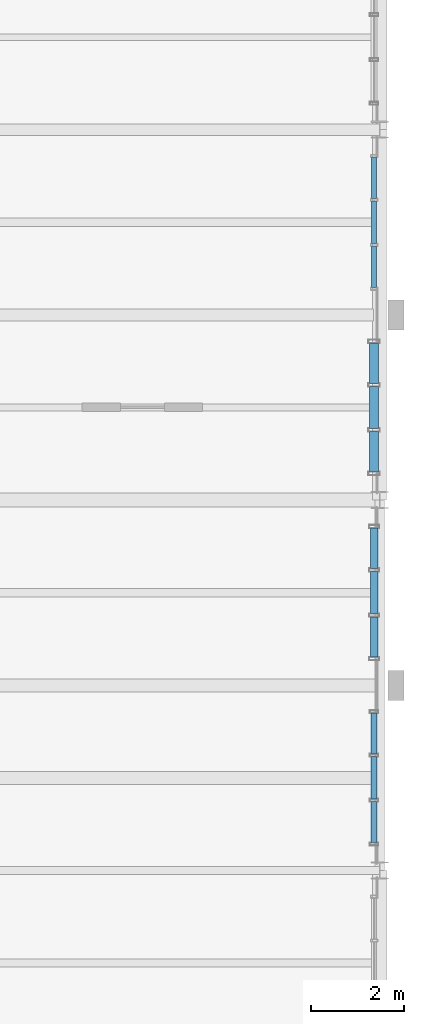
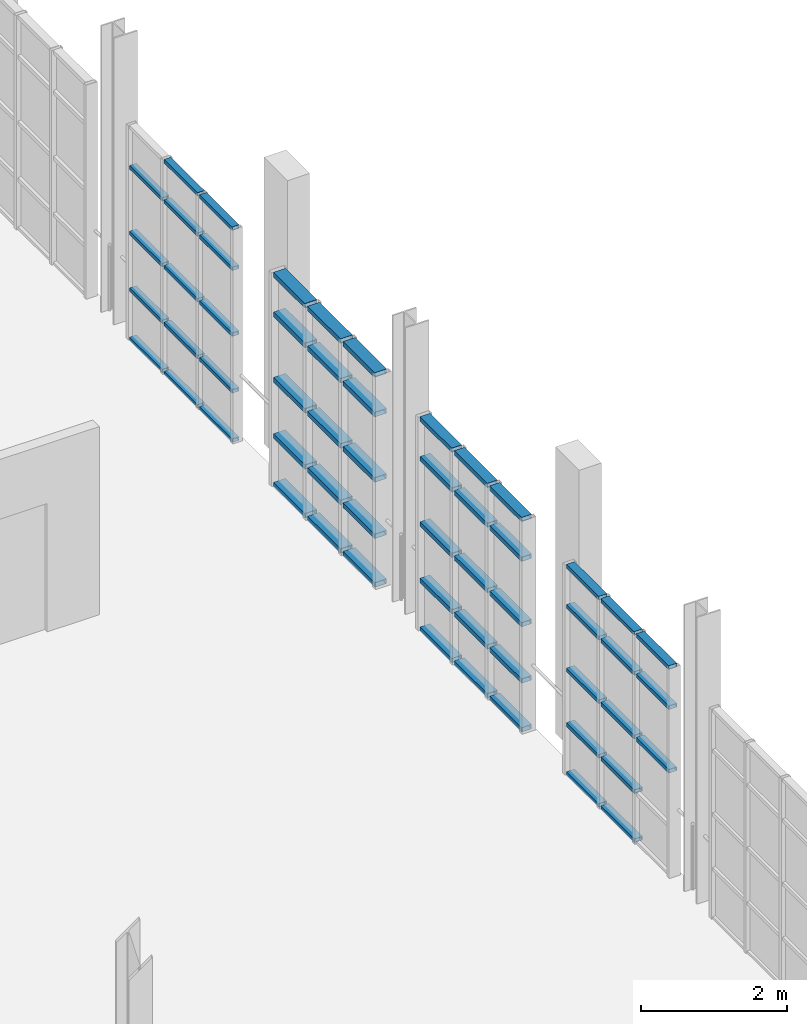
# One storey, part 75 of 122: 57 members, 4 elements without a shape of their own.
"""IFC4 building model written with IfcOpenShell, lengths in metres."""

from ifc_helpers import new_model, si_unit, direction, frame, origin, origin_2d, place, context, subcontext, project, spatial, hollow_rectangle, extrude, material, layer, layer_set, material_profile, profile_set, type_object, element, aggregate, save


model = new_model("IFC4")

# Units and contexts
model_context = context("Model", 3, precision=1e-05, world=origin(), true_north=direction((0.0, 1.0)))
body_context = subcontext(model_context, "Body", "Model", "MODEL_VIEW")
ifc_project = project(units=[si_unit("LENGTHUNIT", "METRE"), si_unit("AREAUNIT", "SQUARE_METRE"), si_unit("VOLUMEUNIT", "CUBIC_METRE"), si_unit("PLANEANGLEUNIT", "RADIAN"), si_unit("MASSUNIT", "GRAM", prefix="KILO"), si_unit("THERMODYNAMICTEMPERATUREUNIT", "KELVIN"), si_unit("POWERUNIT", "WATT")], contexts=[model_context])

# Site, building, storey
site_placement = place(None, origin())
site = spatial("IfcSite", under=ifc_project, at=site_placement, CompositionType="ELEMENT")
building_placement = place(site_placement, origin())
building = spatial("IfcBuilding", under=site, at=building_placement, Name="Zelmaris Science Centre", CompositionType="ELEMENT")
storey_placement = place(building_placement, frame((0.0, 0.0, 10.800048828125)))
storey = spatial("IfcBuildingStorey", under=building, at=storey_placement, Name="L02", CompositionType="ELEMENT", Elevation=10.800048828125)

# Curtain wall, members
ifc_material = material(Name="Anodised architectural aluminium 6063-T6", Category="aluminium")
ifc_layer_1 = layer(ifc_material, 0.219970703125, Name="Anodised architectural aluminium 6063-T6")
ifc_layer_set_1 = layer_set([ifc_layer_1], Name="Anodised architectural aluminium 6063-T6")
curtain_wall_type_1 = type_object("IfcCurtainWallType", Name="Curtain Wall CW-04", PredefinedType="USERDEFINED", material=ifc_layer_set_1)
curtain_wall_1_placement = place(storey_placement, origin())
curtain_wall_1 = element("IfcCurtainWall", 1, at=curtain_wall_1_placement, inside=storey, type_object=curtain_wall_type_1, Name="L02 Unitised curtain wall 228", ObjectType="GLAZED CURTAIN WALL", PredefinedType="USERDEFINED")
ifc_material_profile_1 = material_profile(ifc_material, hollow_rectangle(XDim=0.06005859375, YDim=0.110107421875, WallThickness=0.0029296875, at=origin_2d()), Name="ALU-TRN-60X110")
ifc_profile_set_1 = profile_set([ifc_material_profile_1], Name="Anodised architectural aluminium 6063-T6")
member_type_1 = type_object("IfcMemberType", Name="ALU-TRN-60X110", PredefinedType="USERDEFINED", material=ifc_profile_set_1)
member_1_placement = place(storey_placement, frame((143.8798828125, 39.407958984375, 0.010986328125), z_axis=(0.0, -1.0, 0.0), x_axis=(0.0, 0.0, 1.0)))
member_1 = element("IfcMember", 2, at=member_1_placement, type_object=member_type_1, Name="CW-04 transom 1.1", ObjectType="TRANSOM", PredefinedType="USERDEFINED", context=body_context, shape_type="SweptSolid", body=[
    extrude(hollow_rectangle(XDim=0.06005859375, YDim=0.110107421875, WallThickness=0.0029296875, at=origin_2d()), origin(), (0.0, 0.0, 1.0), 0.895263671875),
])
member_2_placement = place(storey_placement, frame((143.8798828125, 39.407958984375, 0.8349609375), z_axis=(0.0, -1.0, 0.0), x_axis=(0.0, 0.0, 1.0)))
member_2 = element("IfcMember", 3, at=member_2_placement, type_object=member_type_1, Name="CW-04 transom 1.2", ObjectType="TRANSOM", PredefinedType="USERDEFINED", context=body_context, shape_type="SweptSolid", body=[
    extrude(hollow_rectangle(XDim=0.06005859375, YDim=0.110107421875, WallThickness=0.0029296875, at=origin_2d()), origin(), (0.0, 0.0, 1.0), 0.895263671875),
])
member_3_placement = place(storey_placement, frame((143.8798828125, 39.407958984375, 1.785400390625), z_axis=(0.0, -1.0, 0.0), x_axis=(0.0, 0.0, 1.0)))
member_3 = element("IfcMember", 4, at=member_3_placement, type_object=member_type_1, Name="CW-04 transom 1.3", ObjectType="TRANSOM", PredefinedType="USERDEFINED", context=body_context, shape_type="SweptSolid", body=[
    extrude(hollow_rectangle(XDim=0.06005859375, YDim=0.110107421875, WallThickness=0.0029296875, at=origin_2d()), origin(), (0.0, 0.0, 1.0), 0.895263671875),
])
member_4_placement = place(storey_placement, frame((143.8798828125, 39.407958984375, 2.885986328125), z_axis=(0.0, -1.0, 0.0), x_axis=(0.0, 0.0, 1.0)))
member_4 = element("IfcMember", 5, at=member_4_placement, type_object=member_type_1, Name="CW-04 transom 1.4", ObjectType="TRANSOM", PredefinedType="USERDEFINED", context=body_context, shape_type="SweptSolid", body=[
    extrude(hollow_rectangle(XDim=0.06005859375, YDim=0.110107421875, WallThickness=0.0029296875, at=origin_2d()), origin(), (0.0, 0.0, 1.0), 0.895263671875),
])
member_5_placement = place(storey_placement, frame((143.8798828125, 38.460693359375, 0.010986328125), z_axis=(0.0, -1.0, 0.0), x_axis=(0.0, 0.0, 1.0)))
member_5 = element("IfcMember", 6, at=member_5_placement, type_object=member_type_1, Name="CW-04 transom 2.1", ObjectType="TRANSOM", PredefinedType="USERDEFINED", context=body_context, shape_type="SweptSolid", body=[
    extrude(hollow_rectangle(XDim=0.06005859375, YDim=0.110107421875, WallThickness=0.0029296875, at=origin_2d()), origin(), (0.0, 0.0, 1.0), 0.92138671875),
])
member_6_placement = place(storey_placement, frame((143.8798828125, 38.460693359375, 0.8349609375), z_axis=(0.0, -1.0, 0.0), x_axis=(0.0, 0.0, 1.0)))
member_6 = element("IfcMember", 7, at=member_6_placement, type_object=member_type_1, Name="CW-04 transom 2.2", ObjectType="TRANSOM", PredefinedType="USERDEFINED", context=body_context, shape_type="SweptSolid", body=[
    extrude(hollow_rectangle(XDim=0.06005859375, YDim=0.110107421875, WallThickness=0.0029296875, at=origin_2d()), origin(), (0.0, 0.0, 1.0), 0.92138671875),
])
member_7_placement = place(storey_placement, frame((143.8798828125, 38.460693359375, 1.785400390625), z_axis=(0.0, -1.0, 0.0), x_axis=(0.0, 0.0, 1.0)))
member_7 = element("IfcMember", 8, at=member_7_placement, type_object=member_type_1, Name="CW-04 transom 2.3", ObjectType="TRANSOM", PredefinedType="USERDEFINED", context=body_context, shape_type="SweptSolid", body=[
    extrude(hollow_rectangle(XDim=0.06005859375, YDim=0.110107421875, WallThickness=0.0029296875, at=origin_2d()), origin(), (0.0, 0.0, 1.0), 0.92138671875),
])
member_8_placement = place(storey_placement, frame((143.8798828125, 38.460693359375, 2.885986328125), z_axis=(0.0, -1.0, 0.0), x_axis=(0.0, 0.0, 1.0)))
member_8 = element("IfcMember", 9, at=member_8_placement, type_object=member_type_1, Name="CW-04 transom 2.4", ObjectType="TRANSOM", PredefinedType="USERDEFINED", context=body_context, shape_type="SweptSolid", body=[
    extrude(hollow_rectangle(XDim=0.06005859375, YDim=0.110107421875, WallThickness=0.0029296875, at=origin_2d()), origin(), (0.0, 0.0, 1.0), 0.92138671875),
])
member_9_placement = place(storey_placement, frame((143.8798828125, 38.460693359375, 3.56005859375), z_axis=(0.0, -1.0, 0.0), x_axis=(0.0, 0.0, 1.0)))
member_9 = element("IfcMember", 10, at=member_9_placement, type_object=member_type_1, Name="CW-04 transom 2.5", ObjectType="TRANSOM", PredefinedType="USERDEFINED", context=body_context, shape_type="SweptSolid", body=[
    extrude(hollow_rectangle(XDim=0.06005859375, YDim=0.110107421875, WallThickness=0.0029296875, at=origin_2d()), origin(), (0.0, 0.0, 1.0), 0.92138671875),
])
member_10_placement = place(storey_placement, frame((143.8798828125, 37.4873046875, 0.010986328125), z_axis=(0.0, -1.0, 0.0), x_axis=(0.0, 0.0, 1.0)))
member_10 = element("IfcMember", 11, at=member_10_placement, type_object=member_type_1, Name="CW-04 transom 3.1", ObjectType="TRANSOM", PredefinedType="USERDEFINED", context=body_context, shape_type="SweptSolid", body=[
    extrude(hollow_rectangle(XDim=0.06005859375, YDim=0.110107421875, WallThickness=0.0029296875, at=origin_2d()), origin(), (0.0, 0.0, 1.0), 0.895263671875),
])
member_11_placement = place(storey_placement, frame((143.8798828125, 37.4873046875, 0.8349609375), z_axis=(0.0, -1.0, 0.0), x_axis=(0.0, 0.0, 1.0)))
member_11 = element("IfcMember", 12, at=member_11_placement, type_object=member_type_1, Name="CW-04 transom 3.2", ObjectType="TRANSOM", PredefinedType="USERDEFINED", context=body_context, shape_type="SweptSolid", body=[
    extrude(hollow_rectangle(XDim=0.06005859375, YDim=0.110107421875, WallThickness=0.0029296875, at=origin_2d()), origin(), (0.0, 0.0, 1.0), 0.895263671875),
])
member_12_placement = place(storey_placement, frame((143.8798828125, 37.4873046875, 1.785400390625), z_axis=(0.0, -1.0, 0.0), x_axis=(0.0, 0.0, 1.0)))
member_12 = element("IfcMember", 13, at=member_12_placement, type_object=member_type_1, Name="CW-04 transom 3.3", ObjectType="TRANSOM", PredefinedType="USERDEFINED", context=body_context, shape_type="SweptSolid", body=[
    extrude(hollow_rectangle(XDim=0.06005859375, YDim=0.110107421875, WallThickness=0.0029296875, at=origin_2d()), origin(), (0.0, 0.0, 1.0), 0.895263671875),
])
member_13_placement = place(storey_placement, frame((143.8798828125, 37.4873046875, 2.885986328125), z_axis=(0.0, -1.0, 0.0), x_axis=(0.0, 0.0, 1.0)))
member_13 = element("IfcMember", 14, at=member_13_placement, type_object=member_type_1, Name="CW-04 transom 3.4", ObjectType="TRANSOM", PredefinedType="USERDEFINED", context=body_context, shape_type="SweptSolid", body=[
    extrude(hollow_rectangle(XDim=0.06005859375, YDim=0.110107421875, WallThickness=0.0029296875, at=origin_2d()), origin(), (0.0, 0.0, 1.0), 0.895263671875),
])
member_14_placement = place(storey_placement, frame((143.8798828125, 37.4873046875, 3.56005859375), z_axis=(0.0, -1.0, 0.0), x_axis=(0.0, 0.0, 1.0)))
member_14 = element("IfcMember", 15, at=member_14_placement, type_object=member_type_1, Name="CW-04 transom 3.5", ObjectType="TRANSOM", PredefinedType="USERDEFINED", context=body_context, shape_type="SweptSolid", body=[
    extrude(hollow_rectangle(XDim=0.06005859375, YDim=0.110107421875, WallThickness=0.0029296875, at=origin_2d()), origin(), (0.0, 0.0, 1.0), 0.895263671875),
])
aggregate(curtain_wall_1, [member_1, member_2, member_3, member_4, member_5, member_6, member_7, member_8, member_9, member_10, member_11, member_12, member_13, member_14])

ifc_layer_2 = layer(ifc_material, 0.2099609375, Name="Anodised architectural aluminium 6063-T6")
ifc_layer_set_2 = layer_set([ifc_layer_2], Name="Anodised architectural aluminium 6063-T6")
curtain_wall_type_2 = type_object("IfcCurtainWallType", Name="Curtain Wall CW-03", PredefinedType="USERDEFINED", material=ifc_layer_set_2)
curtain_wall_2_placement = place(storey_placement, origin())
curtain_wall_2 = element("IfcCurtainWall", 16, at=curtain_wall_2_placement, inside=storey, type_object=curtain_wall_type_2, Name="L02 Unitised curtain wall 231", ObjectType="GLAZED CURTAIN WALL", PredefinedType="USERDEFINED")
ifc_material_profile_2 = material_profile(ifc_material, hollow_rectangle(XDim=0.06494140625, YDim=0.1298828125, WallThickness=0.00341796875, at=origin_2d()), Name="ALU-TRN-65X130")
ifc_profile_set_2 = profile_set([ifc_material_profile_2], Name="Anodised architectural aluminium 6063-T6")
member_type_2 = type_object("IfcMemberType", Name="ALU-TRN-65X130", PredefinedType="USERDEFINED", material=ifc_profile_set_2)
member_15_placement = place(storey_placement, frame((143.8798828125, 27.403076171875, 0.013427734375), z_axis=(0.0, -1.0, 0.0), x_axis=(0.0, 0.0, 1.0)))
member_15 = element("IfcMember", 17, at=member_15_placement, type_object=member_type_2, Name="CW-03 transom 1.1", ObjectType="TRANSOM", PredefinedType="USERDEFINED", context=body_context, shape_type="SweptSolid", body=[
    extrude(hollow_rectangle(XDim=0.06494140625, YDim=0.1298828125, WallThickness=0.00341796875, at=origin_2d()), origin(), (0.0, 0.0, 1.0), 0.887939453125),
])
member_16_placement = place(storey_placement, frame((143.8798828125, 27.403076171875, 0.8349609375), z_axis=(0.0, -1.0, 0.0), x_axis=(0.0, 0.0, 1.0)))
member_16 = element("IfcMember", 18, at=member_16_placement, type_object=member_type_2, Name="CW-03 transom 1.2", ObjectType="TRANSOM", PredefinedType="USERDEFINED", context=body_context, shape_type="SweptSolid", body=[
    extrude(hollow_rectangle(XDim=0.06494140625, YDim=0.1298828125, WallThickness=0.00341796875, at=origin_2d()), origin(), (0.0, 0.0, 1.0), 0.887939453125),
])
member_17_placement = place(storey_placement, frame((143.8798828125, 27.403076171875, 1.74951171875), z_axis=(0.0, -1.0, 0.0), x_axis=(0.0, 0.0, 1.0)))
member_17 = element("IfcMember", 19, at=member_17_placement, type_object=member_type_2, Name="CW-03 transom 1.3", ObjectType="TRANSOM", PredefinedType="USERDEFINED", context=body_context, shape_type="SweptSolid", body=[
    extrude(hollow_rectangle(XDim=0.06494140625, YDim=0.1298828125, WallThickness=0.00341796875, at=origin_2d()), origin(), (0.0, 0.0, 1.0), 0.887939453125),
])
member_18_placement = place(storey_placement, frame((143.8798828125, 27.403076171875, 2.81396484375), z_axis=(0.0, -1.0, 0.0), x_axis=(0.0, 0.0, 1.0)))
member_18 = element("IfcMember", 20, at=member_18_placement, type_object=member_type_2, Name="CW-03 transom 1.4", ObjectType="TRANSOM", PredefinedType="USERDEFINED", context=body_context, shape_type="SweptSolid", body=[
    extrude(hollow_rectangle(XDim=0.06494140625, YDim=0.1298828125, WallThickness=0.00341796875, at=origin_2d()), origin(), (0.0, 0.0, 1.0), 0.887939453125),
])
member_19_placement = place(storey_placement, frame((143.8798828125, 27.403076171875, 3.4853515625), z_axis=(0.0, -1.0, 0.0), x_axis=(0.0, 0.0, 1.0)))
member_19 = element("IfcMember", 21, at=member_19_placement, type_object=member_type_2, Name="CW-03 transom 1.5", ObjectType="TRANSOM", PredefinedType="USERDEFINED", context=body_context, shape_type="SweptSolid", body=[
    extrude(hollow_rectangle(XDim=0.06494140625, YDim=0.1298828125, WallThickness=0.00341796875, at=origin_2d()), origin(), (0.0, 0.0, 1.0), 0.887939453125),
])
member_20_placement = place(storey_placement, frame((143.8798828125, 26.458251953125, 0.013427734375), z_axis=(0.0, -1.0, 0.0), x_axis=(0.0, 0.0, 1.0)))
member_20 = element("IfcMember", 22, at=member_20_placement, type_object=member_type_2, Name="CW-03 transom 2.1", ObjectType="TRANSOM", PredefinedType="USERDEFINED", context=body_context, shape_type="SweptSolid", body=[
    extrude(hollow_rectangle(XDim=0.06494140625, YDim=0.1298828125, WallThickness=0.00341796875, at=origin_2d()), origin(), (0.0, 0.0, 1.0), 0.91650390625),
])
member_21_placement = place(storey_placement, frame((143.8798828125, 26.458251953125, 0.8349609375), z_axis=(0.0, -1.0, 0.0), x_axis=(0.0, 0.0, 1.0)))
member_21 = element("IfcMember", 23, at=member_21_placement, type_object=member_type_2, Name="CW-03 transom 2.2", ObjectType="TRANSOM", PredefinedType="USERDEFINED", context=body_context, shape_type="SweptSolid", body=[
    extrude(hollow_rectangle(XDim=0.06494140625, YDim=0.1298828125, WallThickness=0.00341796875, at=origin_2d()), origin(), (0.0, 0.0, 1.0), 0.91650390625),
])
member_22_placement = place(storey_placement, frame((143.8798828125, 26.458251953125, 1.74951171875), z_axis=(0.0, -1.0, 0.0), x_axis=(0.0, 0.0, 1.0)))
member_22 = element("IfcMember", 24, at=member_22_placement, type_object=member_type_2, Name="CW-03 transom 2.3", ObjectType="TRANSOM", PredefinedType="USERDEFINED", context=body_context, shape_type="SweptSolid", body=[
    extrude(hollow_rectangle(XDim=0.06494140625, YDim=0.1298828125, WallThickness=0.00341796875, at=origin_2d()), origin(), (0.0, 0.0, 1.0), 0.91650390625),
])
member_23_placement = place(storey_placement, frame((143.8798828125, 26.458251953125, 2.81396484375), z_axis=(0.0, -1.0, 0.0), x_axis=(0.0, 0.0, 1.0)))
member_23 = element("IfcMember", 25, at=member_23_placement, type_object=member_type_2, Name="CW-03 transom 2.4", ObjectType="TRANSOM", PredefinedType="USERDEFINED", context=body_context, shape_type="SweptSolid", body=[
    extrude(hollow_rectangle(XDim=0.06494140625, YDim=0.1298828125, WallThickness=0.00341796875, at=origin_2d()), origin(), (0.0, 0.0, 1.0), 0.91650390625),
])
member_24_placement = place(storey_placement, frame((143.8798828125, 26.458251953125, 3.4853515625), z_axis=(0.0, -1.0, 0.0), x_axis=(0.0, 0.0, 1.0)))
member_24 = element("IfcMember", 26, at=member_24_placement, type_object=member_type_2, Name="CW-03 transom 2.5", ObjectType="TRANSOM", PredefinedType="USERDEFINED", context=body_context, shape_type="SweptSolid", body=[
    extrude(hollow_rectangle(XDim=0.06494140625, YDim=0.1298828125, WallThickness=0.00341796875, at=origin_2d()), origin(), (0.0, 0.0, 1.0), 0.91650390625),
])
member_25_placement = place(storey_placement, frame((143.8798828125, 25.48486328125, 1.74951171875), z_axis=(0.0, -1.0, 0.0), x_axis=(0.0, 0.0, 1.0)))
member_25 = element("IfcMember", 27, at=member_25_placement, type_object=member_type_2, Name="CW-03 transom 3.3", ObjectType="TRANSOM", PredefinedType="USERDEFINED", context=body_context, shape_type="SweptSolid", body=[
    extrude(hollow_rectangle(XDim=0.06494140625, YDim=0.1298828125, WallThickness=0.00341796875, at=origin_2d()), origin(), (0.0, 0.0, 1.0), 0.887939453125),
])
member_26_placement = place(storey_placement, frame((143.8798828125, 25.48486328125, 2.81396484375), z_axis=(0.0, -1.0, 0.0), x_axis=(0.0, 0.0, 1.0)))
member_26 = element("IfcMember", 28, at=member_26_placement, type_object=member_type_2, Name="CW-03 transom 3.4", ObjectType="TRANSOM", PredefinedType="USERDEFINED", context=body_context, shape_type="SweptSolid", body=[
    extrude(hollow_rectangle(XDim=0.06494140625, YDim=0.1298828125, WallThickness=0.00341796875, at=origin_2d()), origin(), (0.0, 0.0, 1.0), 0.887939453125),
])
member_27_placement = place(storey_placement, frame((143.8798828125, 25.48486328125, 3.4853515625), z_axis=(0.0, -1.0, 0.0), x_axis=(0.0, 0.0, 1.0)))
member_27 = element("IfcMember", 29, at=member_27_placement, type_object=member_type_2, Name="CW-03 transom 3.5", ObjectType="TRANSOM", PredefinedType="USERDEFINED", context=body_context, shape_type="SweptSolid", body=[
    extrude(hollow_rectangle(XDim=0.06494140625, YDim=0.1298828125, WallThickness=0.00341796875, at=origin_2d()), origin(), (0.0, 0.0, 1.0), 0.887939453125),
])
aggregate(curtain_wall_2, [member_15, member_16, member_17, member_18, member_19, member_20, member_21, member_22, member_23, member_24, member_25, member_26, member_27])

ifc_layer_3 = layer(ifc_material, 0.199951171875, Name="Anodised architectural aluminium 6063-T6")
ifc_layer_set_3 = layer_set([ifc_layer_3], Name="Anodised architectural aluminium 6063-T6")
curtain_wall_type_3 = type_object("IfcCurtainWallType", Name="Curtain Wall CW-02", PredefinedType="USERDEFINED", material=ifc_layer_set_3)
curtain_wall_3_placement = place(storey_placement, origin())
curtain_wall_3 = element("IfcCurtainWall", 30, at=curtain_wall_3_placement, inside=storey, type_object=curtain_wall_type_3, Name="L02 Unitised curtain wall 230", ObjectType="GLAZED CURTAIN WALL", PredefinedType="USERDEFINED")
ifc_material_profile_3 = material_profile(ifc_material, hollow_rectangle(XDim=0.074951171875, YDim=0.159912109375, WallThickness=0.00390625, at=origin_2d()), Name="ALU-TRN-75X160")
ifc_profile_set_3 = profile_set([ifc_material_profile_3], Name="Anodised architectural aluminium 6063-T6")
member_type_3 = type_object("IfcMemberType", Name="ALU-TRN-75X160", PredefinedType="USERDEFINED", material=ifc_profile_set_3)
member_28_placement = place(storey_placement, frame((143.8798828125, 31.39306640625, 0.0185546875), z_axis=(0.0, -1.0, 0.0), x_axis=(0.0, 0.0, 1.0)))
member_28 = element("IfcMember", 31, at=member_28_placement, type_object=member_type_3, Name="CW-02 transom 1.1", ObjectType="TRANSOM", PredefinedType="USERDEFINED", context=body_context, shape_type="SweptSolid", body=[
    extrude(hollow_rectangle(XDim=0.074951171875, YDim=0.159912109375, WallThickness=0.00390625, at=origin_2d()), origin(), (0.0, 0.0, 1.0), 0.872802734375),
])
member_29_placement = place(storey_placement, frame((143.8798828125, 31.39306640625, 0.8349609375), z_axis=(0.0, -1.0, 0.0), x_axis=(0.0, 0.0, 1.0)))
member_29 = element("IfcMember", 32, at=member_29_placement, type_object=member_type_3, Name="CW-02 transom 1.2", ObjectType="TRANSOM", PredefinedType="USERDEFINED", context=body_context, shape_type="SweptSolid", body=[
    extrude(hollow_rectangle(XDim=0.074951171875, YDim=0.159912109375, WallThickness=0.00390625, at=origin_2d()), origin(), (0.0, 0.0, 1.0), 0.872802734375),
])
member_30_placement = place(storey_placement, frame((143.8798828125, 31.39306640625, 1.779052734375), z_axis=(0.0, -1.0, 0.0), x_axis=(0.0, 0.0, 1.0)))
member_30 = element("IfcMember", 33, at=member_30_placement, type_object=member_type_3, Name="CW-02 transom 1.3", ObjectType="TRANSOM", PredefinedType="USERDEFINED", context=body_context, shape_type="SweptSolid", body=[
    extrude(hollow_rectangle(XDim=0.074951171875, YDim=0.159912109375, WallThickness=0.00390625, at=origin_2d()), origin(), (0.0, 0.0, 1.0), 0.872802734375),
])
member_31_placement = place(storey_placement, frame((143.8798828125, 31.39306640625, 2.873046875), z_axis=(0.0, -1.0, 0.0), x_axis=(0.0, 0.0, 1.0)))
member_31 = element("IfcMember", 34, at=member_31_placement, type_object=member_type_3, Name="CW-02 transom 1.4", ObjectType="TRANSOM", PredefinedType="USERDEFINED", context=body_context, shape_type="SweptSolid", body=[
    extrude(hollow_rectangle(XDim=0.074951171875, YDim=0.159912109375, WallThickness=0.00390625, at=origin_2d()), origin(), (0.0, 0.0, 1.0), 0.872802734375),
])
member_32_placement = place(storey_placement, frame((143.8798828125, 31.39306640625, 3.53955078125), z_axis=(0.0, -1.0, 0.0), x_axis=(0.0, 0.0, 1.0)))
member_32 = element("IfcMember", 35, at=member_32_placement, type_object=member_type_3, Name="CW-02 transom 1.5", ObjectType="TRANSOM", PredefinedType="USERDEFINED", context=body_context, shape_type="SweptSolid", body=[
    extrude(hollow_rectangle(XDim=0.074951171875, YDim=0.159912109375, WallThickness=0.00390625, at=origin_2d()), origin(), (0.0, 0.0, 1.0), 0.872802734375),
])
member_33_placement = place(storey_placement, frame((143.8798828125, 30.453125, 0.0185546875), z_axis=(0.0, -1.0, 0.0), x_axis=(0.0, 0.0, 1.0)))
member_33 = element("IfcMember", 36, at=member_33_placement, type_object=member_type_3, Name="CW-02 transom 2.1", ObjectType="TRANSOM", PredefinedType="USERDEFINED", context=body_context, shape_type="SweptSolid", body=[
    extrude(hollow_rectangle(XDim=0.074951171875, YDim=0.159912109375, WallThickness=0.00390625, at=origin_2d()), origin(), (0.0, 0.0, 1.0), 0.90625),
])
member_34_placement = place(storey_placement, frame((143.8798828125, 30.453125, 0.8349609375), z_axis=(0.0, -1.0, 0.0), x_axis=(0.0, 0.0, 1.0)))
member_34 = element("IfcMember", 37, at=member_34_placement, type_object=member_type_3, Name="CW-02 transom 2.2", ObjectType="TRANSOM", PredefinedType="USERDEFINED", context=body_context, shape_type="SweptSolid", body=[
    extrude(hollow_rectangle(XDim=0.074951171875, YDim=0.159912109375, WallThickness=0.00390625, at=origin_2d()), origin(), (0.0, 0.0, 1.0), 0.90625),
])
member_35_placement = place(storey_placement, frame((143.8798828125, 30.453125, 1.779052734375), z_axis=(0.0, -1.0, 0.0), x_axis=(0.0, 0.0, 1.0)))
member_35 = element("IfcMember", 38, at=member_35_placement, type_object=member_type_3, Name="CW-02 transom 2.3", ObjectType="TRANSOM", PredefinedType="USERDEFINED", context=body_context, shape_type="SweptSolid", body=[
    extrude(hollow_rectangle(XDim=0.074951171875, YDim=0.159912109375, WallThickness=0.00390625, at=origin_2d()), origin(), (0.0, 0.0, 1.0), 0.90625),
])
member_36_placement = place(storey_placement, frame((143.8798828125, 30.453125, 2.873046875), z_axis=(0.0, -1.0, 0.0), x_axis=(0.0, 0.0, 1.0)))
member_36 = element("IfcMember", 39, at=member_36_placement, type_object=member_type_3, Name="CW-02 transom 2.4", ObjectType="TRANSOM", PredefinedType="USERDEFINED", context=body_context, shape_type="SweptSolid", body=[
    extrude(hollow_rectangle(XDim=0.074951171875, YDim=0.159912109375, WallThickness=0.00390625, at=origin_2d()), origin(), (0.0, 0.0, 1.0), 0.90625),
])
member_37_placement = place(storey_placement, frame((143.8798828125, 30.453125, 3.53955078125), z_axis=(0.0, -1.0, 0.0), x_axis=(0.0, 0.0, 1.0)))
member_37 = element("IfcMember", 40, at=member_37_placement, type_object=member_type_3, Name="CW-02 transom 2.5", ObjectType="TRANSOM", PredefinedType="USERDEFINED", context=body_context, shape_type="SweptSolid", body=[
    extrude(hollow_rectangle(XDim=0.074951171875, YDim=0.159912109375, WallThickness=0.00390625, at=origin_2d()), origin(), (0.0, 0.0, 1.0), 0.90625),
])
member_38_placement = place(storey_placement, frame((143.8798828125, 29.479736328125, 0.0185546875), z_axis=(0.0, -1.0, 0.0), x_axis=(0.0, 0.0, 1.0)))
member_38 = element("IfcMember", 41, at=member_38_placement, type_object=member_type_3, Name="CW-02 transom 3.1", ObjectType="TRANSOM", PredefinedType="USERDEFINED", context=body_context, shape_type="SweptSolid", body=[
    extrude(hollow_rectangle(XDim=0.074951171875, YDim=0.159912109375, WallThickness=0.00390625, at=origin_2d()), origin(), (0.0, 0.0, 1.0), 0.872802734375),
])
member_39_placement = place(storey_placement, frame((143.8798828125, 29.479736328125, 0.8349609375), z_axis=(0.0, -1.0, 0.0), x_axis=(0.0, 0.0, 1.0)))
member_39 = element("IfcMember", 42, at=member_39_placement, type_object=member_type_3, Name="CW-02 transom 3.2", ObjectType="TRANSOM", PredefinedType="USERDEFINED", context=body_context, shape_type="SweptSolid", body=[
    extrude(hollow_rectangle(XDim=0.074951171875, YDim=0.159912109375, WallThickness=0.00390625, at=origin_2d()), origin(), (0.0, 0.0, 1.0), 0.872802734375),
])
member_40_placement = place(storey_placement, frame((143.8798828125, 29.479736328125, 1.779052734375), z_axis=(0.0, -1.0, 0.0), x_axis=(0.0, 0.0, 1.0)))
member_40 = element("IfcMember", 43, at=member_40_placement, type_object=member_type_3, Name="CW-02 transom 3.3", ObjectType="TRANSOM", PredefinedType="USERDEFINED", context=body_context, shape_type="SweptSolid", body=[
    extrude(hollow_rectangle(XDim=0.074951171875, YDim=0.159912109375, WallThickness=0.00390625, at=origin_2d()), origin(), (0.0, 0.0, 1.0), 0.872802734375),
])
member_41_placement = place(storey_placement, frame((143.8798828125, 29.479736328125, 2.873046875), z_axis=(0.0, -1.0, 0.0), x_axis=(0.0, 0.0, 1.0)))
member_41 = element("IfcMember", 44, at=member_41_placement, type_object=member_type_3, Name="CW-02 transom 3.4", ObjectType="TRANSOM", PredefinedType="USERDEFINED", context=body_context, shape_type="SweptSolid", body=[
    extrude(hollow_rectangle(XDim=0.074951171875, YDim=0.159912109375, WallThickness=0.00390625, at=origin_2d()), origin(), (0.0, 0.0, 1.0), 0.872802734375),
])
member_42_placement = place(storey_placement, frame((143.8798828125, 29.479736328125, 3.53955078125), z_axis=(0.0, -1.0, 0.0), x_axis=(0.0, 0.0, 1.0)))
member_42 = element("IfcMember", 45, at=member_42_placement, type_object=member_type_3, Name="CW-02 transom 3.5", ObjectType="TRANSOM", PredefinedType="USERDEFINED", context=body_context, shape_type="SweptSolid", body=[
    extrude(hollow_rectangle(XDim=0.074951171875, YDim=0.159912109375, WallThickness=0.00390625, at=origin_2d()), origin(), (0.0, 0.0, 1.0), 0.872802734375),
])
aggregate(curtain_wall_3, [member_28, member_29, member_30, member_31, member_32, member_33, member_34, member_35, member_36, member_37, member_38, member_39, member_40, member_41, member_42])

ifc_layer_4 = layer(ifc_material, 0.18994140625, Name="Anodised architectural aluminium 6063-T6")
ifc_layer_set_4 = layer_set([ifc_layer_4], Name="Anodised architectural aluminium 6063-T6")
curtain_wall_type_4 = type_object("IfcCurtainWallType", Name="Curtain Wall CW-01", PredefinedType="USERDEFINED", material=ifc_layer_set_4)
curtain_wall_4_placement = place(storey_placement, origin())
curtain_wall_4 = element("IfcCurtainWall", 46, at=curtain_wall_4_placement, inside=storey, type_object=curtain_wall_type_4, Name="L02 Unitised curtain wall 229", ObjectType="GLAZED CURTAIN WALL", PredefinedType="USERDEFINED")
ifc_material_profile_4 = material_profile(ifc_material, hollow_rectangle(XDim=0.080078125, YDim=0.18994140625, WallThickness=0.00439453125, at=origin_2d()), Name="ALU-TRN-80X190")
ifc_profile_set_4 = profile_set([ifc_material_profile_4], Name="Anodised architectural aluminium 6063-T6")
member_type_4 = type_object("IfcMemberType", Name="ALU-TRN-80X190", PredefinedType="USERDEFINED", material=ifc_profile_set_4)
member_43_placement = place(storey_placement, frame((143.8798828125, 35.387939453125, 0.02099609375), z_axis=(0.0, -1.0, 0.0), x_axis=(0.0, 0.0, 1.0)))
member_43 = element("IfcMember", 47, at=member_43_placement, type_object=member_type_4, Name="CW-01 transom 1.1", ObjectType="TRANSOM", PredefinedType="USERDEFINED", context=body_context, shape_type="SweptSolid", body=[
    extrude(hollow_rectangle(XDim=0.080078125, YDim=0.18994140625, WallThickness=0.00439453125, at=origin_2d()), origin(), (0.0, 0.0, 1.0), 0.865234375),
])
member_44_placement = place(storey_placement, frame((143.8798828125, 35.387939453125, 0.8349609375), z_axis=(0.0, -1.0, 0.0), x_axis=(0.0, 0.0, 1.0)))
member_44 = element("IfcMember", 48, at=member_44_placement, type_object=member_type_4, Name="CW-01 transom 1.2", ObjectType="TRANSOM", PredefinedType="USERDEFINED", context=body_context, shape_type="SweptSolid", body=[
    extrude(hollow_rectangle(XDim=0.080078125, YDim=0.18994140625, WallThickness=0.00439453125, at=origin_2d()), origin(), (0.0, 0.0, 1.0), 0.865234375),
])
member_45_placement = place(storey_placement, frame((143.8798828125, 35.387939453125, 1.779052734375), z_axis=(0.0, -1.0, 0.0), x_axis=(0.0, 0.0, 1.0)))
member_45 = element("IfcMember", 49, at=member_45_placement, type_object=member_type_4, Name="CW-01 transom 1.3", ObjectType="TRANSOM", PredefinedType="USERDEFINED", context=body_context, shape_type="SweptSolid", body=[
    extrude(hollow_rectangle(XDim=0.080078125, YDim=0.18994140625, WallThickness=0.00439453125, at=origin_2d()), origin(), (0.0, 0.0, 1.0), 0.865234375),
])
member_46_placement = place(storey_placement, frame((143.8798828125, 35.387939453125, 2.873046875), z_axis=(0.0, -1.0, 0.0), x_axis=(0.0, 0.0, 1.0)))
member_46 = element("IfcMember", 50, at=member_46_placement, type_object=member_type_4, Name="CW-01 transom 1.4", ObjectType="TRANSOM", PredefinedType="USERDEFINED", context=body_context, shape_type="SweptSolid", body=[
    extrude(hollow_rectangle(XDim=0.080078125, YDim=0.18994140625, WallThickness=0.00439453125, at=origin_2d()), origin(), (0.0, 0.0, 1.0), 0.865234375),
])
member_47_placement = place(storey_placement, frame((143.8798828125, 35.387939453125, 3.536865234375), z_axis=(0.0, -1.0, 0.0), x_axis=(0.0, 0.0, 1.0)))
member_47 = element("IfcMember", 51, at=member_47_placement, type_object=member_type_4, Name="CW-01 transom 1.5", ObjectType="TRANSOM", PredefinedType="USERDEFINED", context=body_context, shape_type="SweptSolid", body=[
    extrude(hollow_rectangle(XDim=0.080078125, YDim=0.18994140625, WallThickness=0.00439453125, at=origin_2d()), origin(), (0.0, 0.0, 1.0), 0.865234375),
])
member_48_placement = place(storey_placement, frame((143.8798828125, 34.45068359375, 0.02099609375), z_axis=(0.0, -1.0, 0.0), x_axis=(0.0, 0.0, 1.0)))
member_48 = element("IfcMember", 52, at=member_48_placement, type_object=member_type_4, Name="CW-01 transom 2.1", ObjectType="TRANSOM", PredefinedType="USERDEFINED", context=body_context, shape_type="SweptSolid", body=[
    extrude(hollow_rectangle(XDim=0.080078125, YDim=0.18994140625, WallThickness=0.00439453125, at=origin_2d()), origin(), (0.0, 0.0, 1.0), 0.9013671875),
])
member_49_placement = place(storey_placement, frame((143.8798828125, 34.45068359375, 0.8349609375), z_axis=(0.0, -1.0, 0.0), x_axis=(0.0, 0.0, 1.0)))
member_49 = element("IfcMember", 53, at=member_49_placement, type_object=member_type_4, Name="CW-01 transom 2.2", ObjectType="TRANSOM", PredefinedType="USERDEFINED", context=body_context, shape_type="SweptSolid", body=[
    extrude(hollow_rectangle(XDim=0.080078125, YDim=0.18994140625, WallThickness=0.00439453125, at=origin_2d()), origin(), (0.0, 0.0, 1.0), 0.9013671875),
])
member_50_placement = place(storey_placement, frame((143.8798828125, 34.45068359375, 1.779052734375), z_axis=(0.0, -1.0, 0.0), x_axis=(0.0, 0.0, 1.0)))
member_50 = element("IfcMember", 54, at=member_50_placement, type_object=member_type_4, Name="CW-01 transom 2.3", ObjectType="TRANSOM", PredefinedType="USERDEFINED", context=body_context, shape_type="SweptSolid", body=[
    extrude(hollow_rectangle(XDim=0.080078125, YDim=0.18994140625, WallThickness=0.00439453125, at=origin_2d()), origin(), (0.0, 0.0, 1.0), 0.9013671875),
])
member_51_placement = place(storey_placement, frame((143.8798828125, 34.45068359375, 2.873046875), z_axis=(0.0, -1.0, 0.0), x_axis=(0.0, 0.0, 1.0)))
member_51 = element("IfcMember", 55, at=member_51_placement, type_object=member_type_4, Name="CW-01 transom 2.4", ObjectType="TRANSOM", PredefinedType="USERDEFINED", context=body_context, shape_type="SweptSolid", body=[
    extrude(hollow_rectangle(XDim=0.080078125, YDim=0.18994140625, WallThickness=0.00439453125, at=origin_2d()), origin(), (0.0, 0.0, 1.0), 0.9013671875),
])
member_52_placement = place(storey_placement, frame((143.8798828125, 34.45068359375, 3.536865234375), z_axis=(0.0, -1.0, 0.0), x_axis=(0.0, 0.0, 1.0)))
member_52 = element("IfcMember", 56, at=member_52_placement, type_object=member_type_4, Name="CW-01 transom 2.5", ObjectType="TRANSOM", PredefinedType="USERDEFINED", context=body_context, shape_type="SweptSolid", body=[
    extrude(hollow_rectangle(XDim=0.080078125, YDim=0.18994140625, WallThickness=0.00439453125, at=origin_2d()), origin(), (0.0, 0.0, 1.0), 0.9013671875),
])
member_53_placement = place(storey_placement, frame((143.8798828125, 33.477294921875, 0.02099609375), z_axis=(0.0, -1.0, 0.0), x_axis=(0.0, 0.0, 1.0)))
member_53 = element("IfcMember", 57, at=member_53_placement, type_object=member_type_4, Name="CW-01 transom 3.1", ObjectType="TRANSOM", PredefinedType="USERDEFINED", context=body_context, shape_type="SweptSolid", body=[
    extrude(hollow_rectangle(XDim=0.080078125, YDim=0.18994140625, WallThickness=0.00439453125, at=origin_2d()), origin(), (0.0, 0.0, 1.0), 0.865234375),
])
member_54_placement = place(storey_placement, frame((143.8798828125, 33.477294921875, 0.8349609375), z_axis=(0.0, -1.0, 0.0), x_axis=(0.0, 0.0, 1.0)))
member_54 = element("IfcMember", 58, at=member_54_placement, type_object=member_type_4, Name="CW-01 transom 3.2", ObjectType="TRANSOM", PredefinedType="USERDEFINED", context=body_context, shape_type="SweptSolid", body=[
    extrude(hollow_rectangle(XDim=0.080078125, YDim=0.18994140625, WallThickness=0.00439453125, at=origin_2d()), origin(), (0.0, 0.0, 1.0), 0.865234375),
])
member_55_placement = place(storey_placement, frame((143.8798828125, 33.477294921875, 1.779052734375), z_axis=(0.0, -1.0, 0.0), x_axis=(0.0, 0.0, 1.0)))
member_55 = element("IfcMember", 59, at=member_55_placement, type_object=member_type_4, Name="CW-01 transom 3.3", ObjectType="TRANSOM", PredefinedType="USERDEFINED", context=body_context, shape_type="SweptSolid", body=[
    extrude(hollow_rectangle(XDim=0.080078125, YDim=0.18994140625, WallThickness=0.00439453125, at=origin_2d()), origin(), (0.0, 0.0, 1.0), 0.865234375),
])
member_56_placement = place(storey_placement, frame((143.8798828125, 33.477294921875, 2.873046875), z_axis=(0.0, -1.0, 0.0), x_axis=(0.0, 0.0, 1.0)))
member_56 = element("IfcMember", 60, at=member_56_placement, type_object=member_type_4, Name="CW-01 transom 3.4", ObjectType="TRANSOM", PredefinedType="USERDEFINED", context=body_context, shape_type="SweptSolid", body=[
    extrude(hollow_rectangle(XDim=0.080078125, YDim=0.18994140625, WallThickness=0.00439453125, at=origin_2d()), origin(), (0.0, 0.0, 1.0), 0.865234375),
])
member_57_placement = place(storey_placement, frame((143.8798828125, 33.477294921875, 3.536865234375), z_axis=(0.0, -1.0, 0.0), x_axis=(0.0, 0.0, 1.0)))
member_57 = element("IfcMember", 61, at=member_57_placement, type_object=member_type_4, Name="CW-01 transom 3.5", ObjectType="TRANSOM", PredefinedType="USERDEFINED", context=body_context, shape_type="SweptSolid", body=[
    extrude(hollow_rectangle(XDim=0.080078125, YDim=0.18994140625, WallThickness=0.00439453125, at=origin_2d()), origin(), (0.0, 0.0, 1.0), 0.865234375),
])
aggregate(curtain_wall_4, [member_43, member_44, member_45, member_46, member_47, member_48, member_49, member_50, member_51, member_52, member_53, member_54, member_55, member_56, member_57])

save(model, "model.ifc")
